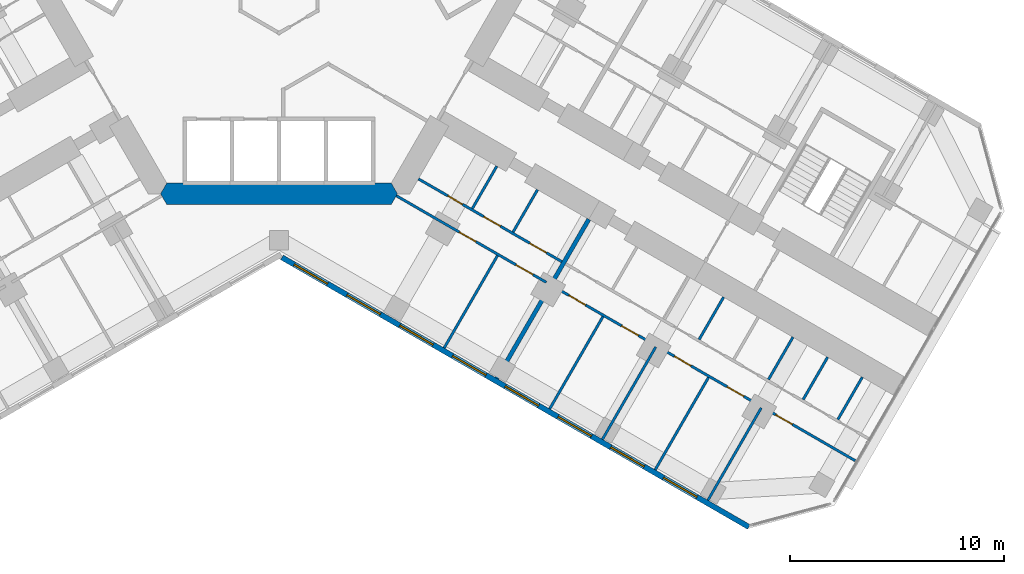
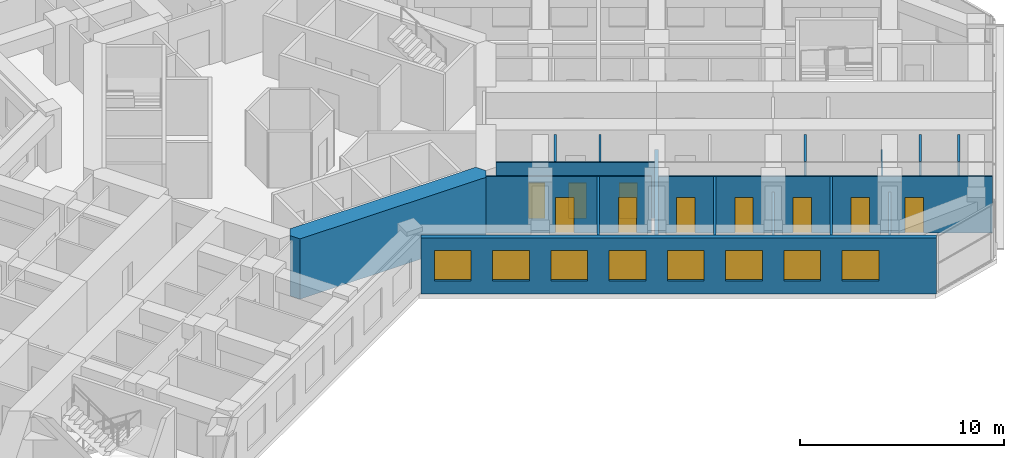
# One storey, part 14 of 22: 17 walls, 10 doors, 8 windows, 18 openings.
"""IFC4 building model written with IfcOpenShell, lengths in metres."""

from ifc_helpers import new_model, si_unit, direction, frame, frame_2d, origin, place, context, subcontext, project, spatial, polyline, rectangle, outline, extrude, material, layer, layer_set, type_object, element, fill, save


model = new_model("IFC4")

# Units and contexts
model_context = context("Model", 3, precision=1e-05, world=origin(), true_north=direction((0.0, 1.0)))
body_context = subcontext(model_context, "Body", "Model", "MODEL_VIEW")
ifc_project = project(units=[si_unit("LENGTHUNIT", "METRE"), si_unit("AREAUNIT", "SQUARE_METRE"), si_unit("VOLUMEUNIT", "CUBIC_METRE"), si_unit("PLANEANGLEUNIT", "RADIAN"), si_unit("MASSUNIT", "GRAM", prefix="KILO")], contexts=[model_context])

# Site, building, storey
site_placement = place(None, origin())
site = spatial("IfcSite", under=ifc_project, at=site_placement, CompositionType="ELEMENT")
building_placement = place(site_placement, origin())
building = spatial("IfcBuilding", under=site, at=building_placement, Name="Kosmar Iwan School Tower", CompositionType="ELEMENT")
storey_placement = place(building_placement, frame((0.0, 0.0, 91.60009765625)))
storey = spatial("IfcBuildingStorey", under=building, at=storey_placement, Name="L22", CompositionType="ELEMENT", Elevation=91.60009765625)

# Wall
ifc_material_1 = material(Name="Concrete C50/60", Category="concrete")
ifc_layer_1 = layer(ifc_material_1, 1.0)
ifc_layer_set_1 = layer_set([ifc_layer_1], Name="Core wall 1000")
wall_type_1 = type_object("IfcWallType", Name="Core wall 1000", PredefinedType="SHEAR", material=ifc_layer_set_1)
wall_1_placement = place(storey_placement, origin())
element("IfcWall", 1, at=wall_1_placement, inside=storey, type_object=wall_type_1, Name="Core wall F270", PredefinedType="SHEAR", context=body_context, shape_type="SweptSolid", body=[
    extrude(outline(polyline([(-5.25390625, -10.10009765625), (5.25390625, -10.10009765625), (5.54248046875, -9.60009765625), (5.25390625, -9.10009765625), (-5.25390625, -9.10009765625), (-5.54248046875, -9.60009765625), (-5.25390625, -10.10009765625)])), origin(), (0.0, 0.0, 1.0), 3.599853515625),
])

# Wall, openings, doors
ifc_material_2 = material(Name="Gypsum board on steel studs", Category="steel")
ifc_layer_2 = layer(ifc_material_2, 0.1201171875)
ifc_layer_set_2 = layer_set([ifc_layer_2], Name="Dwelling partition 120")
wall_type_2 = type_object("IfcWallType", Name="Dwelling partition 120", PredefinedType="PARTITIONING", material=ifc_layer_set_2)
wall_2_placement = place(storey_placement, frame((6.521728515625, -8.90380859375, 0.0), z_axis=(0.0, 0.0, 1.0), x_axis=(0.866032409438, -0.499987865656, 0.0)))
wall_2 = element("IfcWall", 2, at=wall_2_placement, inside=storey, type_object=wall_type_2, Name="Partition L22-CR1-W1", PredefinedType="PARTITIONING", context=body_context, shape_type="SweptSolid", body=[
    extrude(rectangle(XDim=7.750244140625, YDim=0.1201171875, at=frame_2d((3.875, 0.0))), origin(), (0.0, 0.0, 1.0), 3.349853515625),
])
opening_1_placement = place(wall_2_placement, frame((1.590087890625, 0.0, 0.0)))
opening_1 = element("IfcOpeningElement", 3, at=opening_1_placement, cuts=wall_2, Name="Opening D3", PredefinedType="OPENING", context=body_context, shape_type="SweptSolid", body=[
    extrude(rectangle(XDim=0.800048828125, YDim=2.10009765625, at=frame_2d((0.39990234375, 1.050048828125))), frame((0.0, 0.072021484375, 0.0), z_axis=(0.0, -1.0, 0.0), x_axis=(1.0, 0.0, 0.0)), (0.0, 0.0, 1.0), 0.14404296875),
])
opening_2_placement = place(wall_2_placement, frame((3.530029296875, 0.0, 0.0)))
opening_2 = element("IfcOpeningElement", 4, at=opening_2_placement, cuts=wall_2, Name="Opening D2", PredefinedType="OPENING", context=body_context, shape_type="SweptSolid", body=[
    extrude(rectangle(XDim=0.89990234375, YDim=2.10009765625, at=frame_2d((0.449951171875, 1.050048828125))), frame((0.0, 0.072021484375, 0.0), z_axis=(0.0, -1.0, 0.0), x_axis=(1.0, 0.0, 0.0)), (0.0, 0.0, 1.0), 0.14404296875),
])
opening_3_placement = place(wall_2_placement, frame((6.014892578125, 0.0, 0.0)))
opening_3 = element("IfcOpeningElement", 5, at=opening_3_placement, cuts=wall_2, Name="Opening D2", PredefinedType="OPENING", context=body_context, shape_type="SweptSolid", body=[
    extrude(rectangle(XDim=0.89990234375, YDim=2.10009765625, at=frame_2d((0.449951171875, 1.050048828125))), frame((0.0, 0.072021484375, 0.0), z_axis=(0.0, -1.0, 0.0), x_axis=(1.0, 0.0, 0.0)), (0.0, 0.0, 1.0), 0.14404296875),
])
ifc_material_3 = material(Name="Timber door in timber frame", Category="wood")
door_type_1 = type_object("IfcDoorType", Name="Internal door 900x2100", OperationType="SINGLE_SWING_LEFT", PredefinedType="DOOR", material=ifc_material_3)
door_1_placement = place(opening_2_placement, origin())
door_1 = element("IfcDoor", 6, at=door_1_placement, inside=storey, type_object=door_type_1, Name="Entrance hall door L22-CR1-S2", OperationType="SINGLE_SWING_LEFT", OverallHeight=2.10009765625, OverallWidth=0.89990234375, PredefinedType="DOOR", context=body_context, shape_type="SweptSolid", body=[
    extrude(rectangle(XDim=0.89990234375, YDim=2.10009765625, at=frame_2d((0.449951171875, 1.050048828125))), frame((0.0, 0.02490234375, 0.0), z_axis=(0.0, -1.0, 0.0), x_axis=(1.0, 0.0, 0.0)), (0.0, 0.0, 1.0), 0.050048828125),
])
fill(opening_2, door_1)
door_2_placement = place(opening_3_placement, origin())
door_2 = element("IfcDoor", 7, at=door_2_placement, inside=storey, type_object=door_type_1, Name="Pantry door L22-CR1-S3", OperationType="SINGLE_SWING_RIGHT", OverallHeight=2.10009765625, OverallWidth=0.89990234375, PredefinedType="DOOR", context=body_context, shape_type="SweptSolid", body=[
    extrude(rectangle(XDim=0.89990234375, YDim=2.10009765625, at=frame_2d((0.449951171875, 1.050048828125))), frame((0.0, 0.02490234375, 0.0), z_axis=(0.0, -1.0, 0.0), x_axis=(1.0, 0.0, 0.0)), (0.0, 0.0, 1.0), 0.050048828125),
])
fill(opening_3, door_2)
ifc_material_4 = material(Name="Timber door in timber frame", Category="wood")
door_type_2 = type_object("IfcDoorType", Name="Sanitary room door 800x2100", OperationType="SINGLE_SWING_LEFT", PredefinedType="DOOR", material=ifc_material_4)
door_3_placement = place(opening_1_placement, origin())
door_3 = element("IfcDoor", 8, at=door_3_placement, inside=storey, type_object=door_type_2, Name="Bathroom door L22-CR1-S1", OperationType="SINGLE_SWING_RIGHT", OverallHeight=2.10009765625, OverallWidth=0.800048828125, PredefinedType="DOOR", context=body_context, shape_type="SweptSolid", body=[
    extrude(rectangle(XDim=0.800048828125, YDim=2.10009765625, at=frame_2d((0.39990234375, 1.050048828125))), frame((0.0, 0.02490234375, 0.0), z_axis=(0.0, -1.0, 0.0), x_axis=(1.0, 0.0, 0.0)), (0.0, 0.0, 1.0), 0.050048828125),
])
fill(opening_1, door_3)

wall_3_placement = place(storey_placement, frame((5.48876953125, -9.693115234375, 0.0), z_axis=(0.0, 0.0, 1.0), x_axis=(0.866025472755, -0.499999880539, 0.0)))
wall_3 = element("IfcWall", 9, at=wall_3_placement, inside=storey, type_object=wall_type_2, Name="Partition L22-CR1-W2", PredefinedType="PARTITIONING", context=body_context, shape_type="SweptSolid", body=[
    extrude(rectangle(XDim=8.10009765625, YDim=0.1201171875, at=frame_2d((4.050048828125, 0.0))), origin(), (0.0, 0.0, 1.0), 3.349853515625),
])
opening_4_placement = place(wall_3_placement, frame((3.39990234375, 0.0, 0.0)))
opening_4 = element("IfcOpeningElement", 10, at=opening_4_placement, cuts=wall_3, Name="Opening D2", PredefinedType="OPENING", context=body_context, shape_type="SweptSolid", body=[
    extrude(rectangle(XDim=0.89990234375, YDim=2.10009765625, at=frame_2d((0.449951171875, 1.050048828125))), frame((0.0, 0.072021484375, 0.0), z_axis=(0.0, -1.0, 0.0), x_axis=(1.0, 0.0, 0.0)), (0.0, 0.0, 1.0), 0.14404296875),
])
opening_5_placement = place(wall_3_placement, frame((6.47509765625, 0.0, 0.0)))
opening_5 = element("IfcOpeningElement", 11, at=opening_5_placement, cuts=wall_3, Name="Opening D2", PredefinedType="OPENING", context=body_context, shape_type="SweptSolid", body=[
    extrude(rectangle(XDim=0.89990234375, YDim=2.10009765625, at=frame_2d((0.449951171875, 1.050048828125))), frame((0.0, 0.072021484375, 0.0), z_axis=(0.0, -1.0, 0.0), x_axis=(1.0, 0.0, 0.0)), (0.0, 0.0, 1.0), 0.14404296875),
])
door_4_placement = place(opening_4_placement, origin())
door_4 = element("IfcDoor", 12, at=door_4_placement, inside=storey, type_object=door_type_1, Name="Living room and kitchen door L22-CR1-F1", OperationType="SINGLE_SWING_LEFT", OverallHeight=2.10009765625, OverallWidth=0.89990234375, PredefinedType="DOOR", context=body_context, shape_type="SweptSolid", body=[
    extrude(rectangle(XDim=0.89990234375, YDim=2.10009765625, at=frame_2d((0.449951171875, 1.050048828125))), frame((0.0, 0.02490234375, 0.0), z_axis=(0.0, -1.0, 0.0), x_axis=(1.0, 0.0, 0.0)), (0.0, 0.0, 1.0), 0.050048828125),
])
fill(opening_4, door_4)
door_5_placement = place(opening_5_placement, origin())
door_5 = element("IfcDoor", 13, at=door_5_placement, inside=storey, type_object=door_type_1, Name="Bedroom 1 door L22-CR1-F2", OperationType="SINGLE_SWING_RIGHT", OverallHeight=2.10009765625, OverallWidth=0.89990234375, PredefinedType="DOOR", context=body_context, shape_type="SweptSolid", body=[
    extrude(rectangle(XDim=0.89990234375, YDim=2.10009765625, at=frame_2d((0.449951171875, 1.050048828125))), frame((0.0, 0.02490234375, 0.0), z_axis=(0.0, -1.0, 0.0), x_axis=(1.0, 0.0, 0.0)), (0.0, 0.0, 1.0), 0.050048828125),
])
fill(opening_5, door_5)

# Walls
wall_4_placement = place(storey_placement, frame((10.221923828125, -12.4951171875, 0.0), z_axis=(0.0, 0.0, 1.0), x_axis=(-0.499996339024, -0.86602751744, 0.0)))
element("IfcWall", 14, at=wall_4_placement, inside=storey, type_object=wall_type_2, Name="Partition L22-CR1-X1", PredefinedType="PARTITIONING", context=body_context, shape_type="SweptSolid", body=[
    extrude(rectangle(XDim=4.98974609375, YDim=0.1201171875, at=frame_2d((2.494873046875, 0.0))), origin(), (0.0, 0.0, 1.0), 3.349853515625),
])
for number, where, z_axis, x_axis, name in (
    (15, (10.19091796875, -8.30859375, 0.0), (0.0, 0.0, 1.0), (-0.500014693593, -0.866016920268, 0.0), "Partition L22-CR1-Y1"),
    (16, (12.09619140625, -9.40869140625, 0.0), (0.0, 0.0, 1.0), (-0.500014693593, -0.866016920268, 0.0), "Partition L22-CR1-Y2"),
):
    element("IfcWall", number, at=place(storey_placement, frame(where, z_axis=z_axis, x_axis=x_axis)), inside=storey, type_object=wall_type_2, Name=name, PredefinedType="PARTITIONING", context=body_context, shape_type="SweptSolid", body=[
        extrude(rectangle(XDim=2.2900390625, YDim=0.1201171875, at=frame_2d((1.14501953125, 0.0))), origin(), (0.0, 0.0, 1.0), 3.349853515625),
    ])

# Wall, openings, doors
wall_5_placement = place(storey_placement, frame((12.806640625, -13.91796875, 0.0), z_axis=(0.0, 0.0, 1.0), x_axis=(0.866023907196, -0.500002592159, 0.0)))
wall_5 = element("IfcWall", 17, at=wall_5_placement, inside=storey, type_object=wall_type_2, Name="Partition L22-CR2-W2", PredefinedType="PARTITIONING", context=body_context, shape_type="SweptSolid", body=[
    extrude(rectangle(XDim=16.34521484375, YDim=0.1201171875, at=frame_2d((8.172607421875, 0.0))), origin(), (0.0, 0.0, 1.0), 3.349853515625),
])
opening_6_placement = place(wall_5_placement, frame((0.875, 0.0, 0.0)))
opening_6 = element("IfcOpeningElement", 18, at=opening_6_placement, cuts=wall_5, Name="Opening D2", PredefinedType="OPENING", context=body_context, shape_type="SweptSolid", body=[
    extrude(rectangle(XDim=0.89990234375, YDim=2.10009765625, at=frame_2d((0.449951171875, 1.050048828125))), frame((0.0, 0.072021484375, 0.0), z_axis=(0.0, -1.0, 0.0), x_axis=(1.0, 0.0, 0.0)), (0.0, 0.0, 1.0), 0.14404296875),
])
opening_7_placement = place(wall_5_placement, frame((3.72509765625, 0.0, 0.0)))
opening_7 = element("IfcOpeningElement", 19, at=opening_7_placement, cuts=wall_5, Name="Opening D2", PredefinedType="OPENING", context=body_context, shape_type="SweptSolid", body=[
    extrude(rectangle(XDim=0.89990234375, YDim=2.10009765625, at=frame_2d((0.449951171875, 1.050048828125))), frame((0.0, 0.072021484375, 0.0), z_axis=(0.0, -1.0, 0.0), x_axis=(1.0, 0.0, 0.0)), (0.0, 0.0, 1.0), 0.14404296875),
])
opening_8_placement = place(wall_5_placement, frame((6.574951171875, 0.0, 0.0)))
opening_8 = element("IfcOpeningElement", 20, at=opening_8_placement, cuts=wall_5, Name="Opening D2", PredefinedType="OPENING", context=body_context, shape_type="SweptSolid", body=[
    extrude(rectangle(XDim=0.89990234375, YDim=2.10009765625, at=frame_2d((0.449951171875, 1.050048828125))), frame((0.0, 0.072021484375, 0.0), z_axis=(0.0, -1.0, 0.0), x_axis=(1.0, 0.0, 0.0)), (0.0, 0.0, 1.0), 0.14404296875),
])
opening_9_placement = place(wall_5_placement, frame((9.425048828125, 0.0, 0.0)))
opening_9 = element("IfcOpeningElement", 21, at=opening_9_placement, cuts=wall_5, Name="Opening D2", PredefinedType="OPENING", context=body_context, shape_type="SweptSolid", body=[
    extrude(rectangle(XDim=0.89990234375, YDim=2.10009765625, at=frame_2d((0.449951171875, 1.050048828125))), frame((0.0, 0.072021484375, 0.0), z_axis=(0.0, -1.0, 0.0), x_axis=(1.0, 0.0, 0.0)), (0.0, 0.0, 1.0), 0.14404296875),
])
opening_10_placement = place(wall_5_placement, frame((12.050048828125, 0.0, 0.0)))
opening_10 = element("IfcOpeningElement", 22, at=opening_10_placement, cuts=wall_5, Name="Opening D2", PredefinedType="OPENING", context=body_context, shape_type="SweptSolid", body=[
    extrude(rectangle(XDim=0.89990234375, YDim=2.10009765625, at=frame_2d((0.449951171875, 1.050048828125))), frame((0.0, 0.072021484375, 0.0), z_axis=(0.0, -1.0, 0.0), x_axis=(1.0, 0.0, 0.0)), (0.0, 0.0, 1.0), 0.14404296875),
])
door_6_placement = place(opening_6_placement, origin())
door_6 = element("IfcDoor", 23, at=door_6_placement, inside=storey, type_object=door_type_1, Name="Bedroom 1 door L22-CR2-F1", OperationType="SINGLE_SWING_LEFT", OverallHeight=2.10009765625, OverallWidth=0.89990234375, PredefinedType="DOOR", context=body_context, shape_type="SweptSolid", body=[
    extrude(rectangle(XDim=0.89990234375, YDim=2.10009765625, at=frame_2d((0.449951171875, 1.050048828125))), frame((0.0, 0.02490234375, 0.0), z_axis=(0.0, -1.0, 0.0), x_axis=(1.0, 0.0, 0.0)), (0.0, 0.0, 1.0), 0.050048828125),
])
fill(opening_6, door_6)
door_7_placement = place(opening_7_placement, origin())
door_7 = element("IfcDoor", 24, at=door_7_placement, inside=storey, type_object=door_type_1, Name="Bedroom 4 door L22-CR2-F2", OperationType="SINGLE_SWING_LEFT", OverallHeight=2.10009765625, OverallWidth=0.89990234375, PredefinedType="DOOR", context=body_context, shape_type="SweptSolid", body=[
    extrude(rectangle(XDim=0.89990234375, YDim=2.10009765625, at=frame_2d((0.449951171875, 1.050048828125))), frame((0.0, 0.02490234375, 0.0), z_axis=(0.0, -1.0, 0.0), x_axis=(1.0, 0.0, 0.0)), (0.0, 0.0, 1.0), 0.050048828125),
])
fill(opening_7, door_7)
door_8_placement = place(opening_8_placement, origin())
door_8 = element("IfcDoor", 25, at=door_8_placement, inside=storey, type_object=door_type_1, Name="Bedroom 2 door L22-CR2-F3", OperationType="SINGLE_SWING_LEFT", OverallHeight=2.10009765625, OverallWidth=0.89990234375, PredefinedType="DOOR", context=body_context, shape_type="SweptSolid", body=[
    extrude(rectangle(XDim=0.89990234375, YDim=2.10009765625, at=frame_2d((0.449951171875, 1.050048828125))), frame((0.0, 0.02490234375, 0.0), z_axis=(0.0, -1.0, 0.0), x_axis=(1.0, 0.0, 0.0)), (0.0, 0.0, 1.0), 0.050048828125),
])
fill(opening_8, door_8)
door_9_placement = place(opening_9_placement, origin())
door_9 = element("IfcDoor", 26, at=door_9_placement, inside=storey, type_object=door_type_1, Name="Bedroom 3 door L22-CR2-F4", OperationType="SINGLE_SWING_RIGHT", OverallHeight=2.10009765625, OverallWidth=0.89990234375, PredefinedType="DOOR", context=body_context, shape_type="SweptSolid", body=[
    extrude(rectangle(XDim=0.89990234375, YDim=2.10009765625, at=frame_2d((0.449951171875, 1.050048828125))), frame((0.0, 0.02490234375, 0.0), z_axis=(0.0, -1.0, 0.0), x_axis=(1.0, 0.0, 0.0)), (0.0, 0.0, 1.0), 0.050048828125),
])
fill(opening_9, door_9)
door_10_placement = place(opening_10_placement, origin())
door_10 = element("IfcDoor", 27, at=door_10_placement, inside=storey, type_object=door_type_1, Name="Living room and kitchen door L22-CR2-F5", OperationType="SINGLE_SWING_RIGHT", OverallHeight=2.10009765625, OverallWidth=0.89990234375, PredefinedType="DOOR", context=body_context, shape_type="SweptSolid", body=[
    extrude(rectangle(XDim=0.89990234375, YDim=2.10009765625, at=frame_2d((0.449951171875, 1.050048828125))), frame((0.0, 0.02490234375, 0.0), z_axis=(0.0, -1.0, 0.0), x_axis=(1.0, 0.0, 0.0)), (0.0, 0.0, 1.0), 0.050048828125),
])
fill(opening_10, door_10)

# Walls
wall_6_placement = place(storey_placement, frame((15.158447265625, -15.344970703125, 0.0), z_axis=(0.0, 0.0, 1.0), x_axis=(-0.500011847778, -0.866018563358, 0.0)))
element("IfcWall", 28, at=wall_6_placement, inside=storey, type_object=wall_type_2, Name="Partition L22-CR2-X1", PredefinedType="PARTITIONING", context=body_context, shape_type="SweptSolid", body=[
    extrude(rectangle(XDim=4.990234375, YDim=0.1201171875, at=frame_2d((2.4951171875, 0.0))), origin(), (0.0, 0.0, 1.0), 3.349853515625),
])
wall_7_placement = place(storey_placement, frame((17.62646484375, -16.77001953125, 0.0), z_axis=(0.0, 0.0, 1.0), x_axis=(-0.499975153383, -0.86603974851, 0.0)))
element("IfcWall", 29, at=wall_7_placement, inside=storey, type_object=wall_type_2, Name="Partition L22-CR2-X2", PredefinedType="PARTITIONING", context=body_context, shape_type="SweptSolid", body=[
    extrude(rectangle(XDim=4.989990234375, YDim=0.1201171875, at=frame_2d((2.4951171875, 0.0))), origin(), (0.0, 0.0, 1.0), 2.449951171875),
])
wall_8_placement = place(storey_placement, frame((20.0947265625, -18.195068359375, 0.0), z_axis=(0.0, 0.0, 1.0), x_axis=(-0.500011847778, -0.866018563358, 0.0)))
element("IfcWall", 30, at=wall_8_placement, inside=storey, type_object=wall_type_2, Name="Partition L22-CR2-X3", PredefinedType="PARTITIONING", context=body_context, shape_type="SweptSolid", body=[
    extrude(rectangle(XDim=4.990234375, YDim=0.1201171875, at=frame_2d((2.4951171875, 0.0))), origin(), (0.0, 0.0, 1.0), 3.349853515625),
])
wall_9_placement = place(storey_placement, frame((22.562744140625, -19.6201171875, 0.0), z_axis=(0.0, 0.0, 1.0), x_axis=(-0.499996339024, -0.86602751744, 0.0)))
element("IfcWall", 31, at=wall_9_placement, inside=storey, type_object=wall_type_2, Name="Partition L22-CR2-X4", PredefinedType="PARTITIONING", context=body_context, shape_type="SweptSolid", body=[
    extrude(rectangle(XDim=4.98974609375, YDim=0.1201171875, at=frame_2d((2.494873046875, 0.0))), origin(), (0.0, 0.0, 1.0), 2.449951171875),
])
wall_10_placement = place(storey_placement, frame((20.802734375, -14.435302734375, 0.0), z_axis=(0.0, 0.0, 1.0), x_axis=(-0.500014693593, -0.866016920268, 0.0)))
element("IfcWall", 32, at=wall_10_placement, inside=storey, type_object=wall_type_2, Name="Partition L22-CR2-Y3", PredefinedType="PARTITIONING", context=body_context, shape_type="SweptSolid", body=[
    extrude(rectangle(XDim=2.2900390625, YDim=0.1201171875, at=frame_2d((1.14501953125, 0.0))), origin(), (0.0, 0.0, 1.0), 3.349853515625),
])
wall_11_placement = place(storey_placement, frame((24.04736328125, -16.30859375, 0.0), z_axis=(0.0, 0.0, 1.0), x_axis=(-0.500014693593, -0.866016920268, 0.0)))
element("IfcWall", 33, at=wall_11_placement, inside=storey, type_object=wall_type_2, Name="Partition L22-CR2-Y5", PredefinedType="PARTITIONING", context=body_context, shape_type="SweptSolid", body=[
    extrude(rectangle(XDim=2.2900390625, YDim=0.1201171875, at=frame_2d((1.14501953125, 0.0))), origin(), (0.0, 0.0, 1.0), 2.449951171875),
])
wall_12_placement = place(storey_placement, frame((25.669677734375, -17.245361328125, 0.0), z_axis=(0.0, 0.0, 1.0), x_axis=(-0.500014693593, -0.866016920268, 0.0)))
element("IfcWall", 34, at=wall_12_placement, inside=storey, type_object=wall_type_2, Name="Partition L22-CR2-Y6", PredefinedType="PARTITIONING", context=body_context, shape_type="SweptSolid", body=[
    extrude(rectangle(XDim=2.2900390625, YDim=0.1201171875, at=frame_2d((1.14501953125, 0.0))), origin(), (0.0, 0.0, 1.0), 3.349853515625),
])
wall_13_placement = place(storey_placement, frame((27.292236328125, -18.181884765625, 0.0), z_axis=(0.0, 0.0, 1.0), x_axis=(-0.499968531483, -0.866043571379, 0.0)))
element("IfcWall", 35, at=wall_13_placement, inside=storey, type_object=wall_type_2, Name="Partition L22-CR2-Y7", PredefinedType="PARTITIONING", context=body_context, shape_type="SweptSolid", body=[
    extrude(rectangle(XDim=2.290283203125, YDim=0.1201171875, at=frame_2d((1.14501953125, 0.0))), origin(), (0.0, 0.0, 1.0), 3.349853515625),
])

# Wall, openings, windows
ifc_material_5 = material(Name="Black aluminium rainscreen on insulated framing", Category="aluminium")
ifc_layer_3 = layer(ifc_material_5, 0.25)
ifc_layer_set_3 = layer_set([ifc_layer_3], Name="External wall rainscreen 250")
wall_type_3 = type_object("IfcWallType", Name="External wall rainscreen 250", PredefinedType="SOLIDWALL", material=ifc_layer_set_3)
wall_14_placement = place(storey_placement, frame((0.137939453125, -12.5791015625, 0.0), z_axis=(0.0, 0.0, 1.0), x_axis=(0.866023775649, -0.500002820003, 0.0)))
wall_14 = element("IfcWall", 36, at=wall_14_placement, inside=storey, type_object=wall_type_3, Name="External wall CR L22", PredefinedType="SOLIDWALL", context=body_context, shape_type="SweptSolid", body=[
    extrude(rectangle(XDim=25.226318359375, YDim=0.25, at=frame_2d((12.61328125, 0.0))), origin(), (0.0, 0.0, 1.0), 3.349853515625),
])
opening_11_placement = place(wall_14_placement, frame((0.666015625, 0.0, 0.800048828125)))
opening_11 = element("IfcOpeningElement", 37, at=opening_11_placement, cuts=wall_14, Name="Opening W1", PredefinedType="OPENING", context=body_context, shape_type="SweptSolid", body=[
    extrude(rectangle(XDim=1.800048828125, YDim=1.800048828125, at=frame_2d((0.89990234375, 0.89990234375))), frame((0.0, 0.136962890625, 0.0), z_axis=(0.0, -1.0, 0.0), x_axis=(1.0, 0.0, 0.0)), (0.0, 0.0, 1.0), 0.27392578125),
])
opening_12_placement = place(wall_14_placement, frame((3.51611328125, 0.0, 0.800048828125)))
opening_12 = element("IfcOpeningElement", 38, at=opening_12_placement, cuts=wall_14, Name="Opening W1", PredefinedType="OPENING", context=body_context, shape_type="SweptSolid", body=[
    extrude(rectangle(XDim=1.800048828125, YDim=1.800048828125, at=frame_2d((0.89990234375, 0.89990234375))), frame((0.0, 0.136962890625, 0.0), z_axis=(0.0, -1.0, 0.0), x_axis=(1.0, 0.0, 0.0)), (0.0, 0.0, 1.0), 0.27392578125),
])
opening_13_placement = place(wall_14_placement, frame((6.365966796875, 0.0, 0.800048828125)))
opening_13 = element("IfcOpeningElement", 39, at=opening_13_placement, cuts=wall_14, Name="Opening W1", PredefinedType="OPENING", context=body_context, shape_type="SweptSolid", body=[
    extrude(rectangle(XDim=1.800048828125, YDim=1.800048828125, at=frame_2d((0.89990234375, 0.89990234375))), frame((0.0, 0.136962890625, 0.0), z_axis=(0.0, -1.0, 0.0), x_axis=(1.0, 0.0, 0.0)), (0.0, 0.0, 1.0), 0.27392578125),
])
opening_14_placement = place(wall_14_placement, frame((9.216064453125, 0.0, 0.800048828125)))
opening_14 = element("IfcOpeningElement", 40, at=opening_14_placement, cuts=wall_14, Name="Opening W1", PredefinedType="OPENING", context=body_context, shape_type="SweptSolid", body=[
    extrude(rectangle(XDim=1.800048828125, YDim=1.800048828125, at=frame_2d((0.89990234375, 0.89990234375))), frame((0.0, 0.136962890625, 0.0), z_axis=(0.0, -1.0, 0.0), x_axis=(1.0, 0.0, 0.0)), (0.0, 0.0, 1.0), 0.27392578125),
])
opening_15_placement = place(wall_14_placement, frame((12.06591796875, 0.0, 0.800048828125)))
opening_15 = element("IfcOpeningElement", 41, at=opening_15_placement, cuts=wall_14, Name="Opening W1", PredefinedType="OPENING", context=body_context, shape_type="SweptSolid", body=[
    extrude(rectangle(XDim=1.800048828125, YDim=1.800048828125, at=frame_2d((0.89990234375, 0.89990234375))), frame((0.0, 0.136962890625, 0.0), z_axis=(0.0, -1.0, 0.0), x_axis=(1.0, 0.0, 0.0)), (0.0, 0.0, 1.0), 0.27392578125),
])
opening_16_placement = place(wall_14_placement, frame((14.916015625, 0.0, 0.800048828125)))
opening_16 = element("IfcOpeningElement", 42, at=opening_16_placement, cuts=wall_14, Name="Opening W1", PredefinedType="OPENING", context=body_context, shape_type="SweptSolid", body=[
    extrude(rectangle(XDim=1.800048828125, YDim=1.800048828125, at=frame_2d((0.89990234375, 0.89990234375))), frame((0.0, 0.136962890625, 0.0), z_axis=(0.0, -1.0, 0.0), x_axis=(1.0, 0.0, 0.0)), (0.0, 0.0, 1.0), 0.27392578125),
])
opening_17_placement = place(wall_14_placement, frame((17.76611328125, 0.0, 0.800048828125)))
opening_17 = element("IfcOpeningElement", 43, at=opening_17_placement, cuts=wall_14, Name="Opening W1", PredefinedType="OPENING", context=body_context, shape_type="SweptSolid", body=[
    extrude(rectangle(XDim=1.800048828125, YDim=1.800048828125, at=frame_2d((0.89990234375, 0.89990234375))), frame((0.0, 0.136962890625, 0.0), z_axis=(0.0, -1.0, 0.0), x_axis=(1.0, 0.0, 0.0)), (0.0, 0.0, 1.0), 0.27392578125),
])
opening_18_placement = place(wall_14_placement, frame((20.615966796875, 0.0, 0.800048828125)))
opening_18 = element("IfcOpeningElement", 44, at=opening_18_placement, cuts=wall_14, Name="Opening W1", PredefinedType="OPENING", context=body_context, shape_type="SweptSolid", body=[
    extrude(rectangle(XDim=1.800048828125, YDim=1.800048828125, at=frame_2d((0.89990234375, 0.89990234375))), frame((0.0, 0.136962890625, 0.0), z_axis=(0.0, -1.0, 0.0), x_axis=(1.0, 0.0, 0.0)), (0.0, 0.0, 1.0), 0.27392578125),
])
ifc_material_6 = material(Name="Black aluminium frame with dark triple glazing", Category="aluminium")
window_type = type_object("IfcWindowType", Name="Window 1800x1800", PartitioningType="SINGLE_PANEL", PredefinedType="WINDOW", material=ifc_material_6)
window_1_placement = place(opening_11_placement, origin())
window_1 = element("IfcWindow", 45, at=window_1_placement, inside=storey, type_object=window_type, Name="Window CR L22 -1", OverallHeight=1.800048828125, OverallWidth=1.800048828125, PartitioningType="SINGLE_PANEL", PredefinedType="WINDOW", context=body_context, shape_type="SweptSolid", body=[
    extrude(rectangle(XDim=1.800048828125, YDim=1.800048828125, at=frame_2d((0.89990234375, 0.89990234375))), frame((0.0, 0.030029296875, 0.0), z_axis=(0.0, -1.0, 0.0), x_axis=(1.0, 0.0, 0.0)), (0.0, 0.0, 1.0), 0.06005859375),
])
fill(opening_11, window_1)
window_2_placement = place(opening_12_placement, origin())
window_2 = element("IfcWindow", 46, at=window_2_placement, inside=storey, type_object=window_type, Name="Window CR L22 0", OverallHeight=1.800048828125, OverallWidth=1.800048828125, PartitioningType="SINGLE_PANEL", PredefinedType="WINDOW", context=body_context, shape_type="SweptSolid", body=[
    extrude(rectangle(XDim=1.800048828125, YDim=1.800048828125, at=frame_2d((0.89990234375, 0.89990234375))), frame((0.0, 0.030029296875, 0.0), z_axis=(0.0, -1.0, 0.0), x_axis=(1.0, 0.0, 0.0)), (0.0, 0.0, 1.0), 0.06005859375),
])
fill(opening_12, window_2)
window_3_placement = place(opening_13_placement, origin())
window_3 = element("IfcWindow", 47, at=window_3_placement, inside=storey, type_object=window_type, Name="Window CR L22 1", OverallHeight=1.800048828125, OverallWidth=1.800048828125, PartitioningType="SINGLE_PANEL", PredefinedType="WINDOW", context=body_context, shape_type="SweptSolid", body=[
    extrude(rectangle(XDim=1.800048828125, YDim=1.800048828125, at=frame_2d((0.89990234375, 0.89990234375))), frame((0.0, 0.030029296875, 0.0), z_axis=(0.0, -1.0, 0.0), x_axis=(1.0, 0.0, 0.0)), (0.0, 0.0, 1.0), 0.06005859375),
])
fill(opening_13, window_3)
window_4_placement = place(opening_14_placement, origin())
window_4 = element("IfcWindow", 48, at=window_4_placement, inside=storey, type_object=window_type, Name="Window CR L22 2", OverallHeight=1.800048828125, OverallWidth=1.800048828125, PartitioningType="SINGLE_PANEL", PredefinedType="WINDOW", context=body_context, shape_type="SweptSolid", body=[
    extrude(rectangle(XDim=1.800048828125, YDim=1.800048828125, at=frame_2d((0.89990234375, 0.89990234375))), frame((0.0, 0.030029296875, 0.0), z_axis=(0.0, -1.0, 0.0), x_axis=(1.0, 0.0, 0.0)), (0.0, 0.0, 1.0), 0.06005859375),
])
fill(opening_14, window_4)
window_5_placement = place(opening_15_placement, origin())
window_5 = element("IfcWindow", 49, at=window_5_placement, inside=storey, type_object=window_type, Name="Window CR L22 3", OverallHeight=1.800048828125, OverallWidth=1.800048828125, PartitioningType="SINGLE_PANEL", PredefinedType="WINDOW", context=body_context, shape_type="SweptSolid", body=[
    extrude(rectangle(XDim=1.800048828125, YDim=1.800048828125, at=frame_2d((0.89990234375, 0.89990234375))), frame((0.0, 0.030029296875, 0.0), z_axis=(0.0, -1.0, 0.0), x_axis=(1.0, 0.0, 0.0)), (0.0, 0.0, 1.0), 0.06005859375),
])
fill(opening_15, window_5)
window_6_placement = place(opening_16_placement, origin())
window_6 = element("IfcWindow", 50, at=window_6_placement, inside=storey, type_object=window_type, Name="Window CR L22 4", OverallHeight=1.800048828125, OverallWidth=1.800048828125, PartitioningType="SINGLE_PANEL", PredefinedType="WINDOW", context=body_context, shape_type="SweptSolid", body=[
    extrude(rectangle(XDim=1.800048828125, YDim=1.800048828125, at=frame_2d((0.89990234375, 0.89990234375))), frame((0.0, 0.030029296875, 0.0), z_axis=(0.0, -1.0, 0.0), x_axis=(1.0, 0.0, 0.0)), (0.0, 0.0, 1.0), 0.06005859375),
])
fill(opening_16, window_6)
window_7_placement = place(opening_17_placement, origin())
window_7 = element("IfcWindow", 51, at=window_7_placement, inside=storey, type_object=window_type, Name="Window CR L22 5", OverallHeight=1.800048828125, OverallWidth=1.800048828125, PartitioningType="SINGLE_PANEL", PredefinedType="WINDOW", context=body_context, shape_type="SweptSolid", body=[
    extrude(rectangle(XDim=1.800048828125, YDim=1.800048828125, at=frame_2d((0.89990234375, 0.89990234375))), frame((0.0, 0.030029296875, 0.0), z_axis=(0.0, -1.0, 0.0), x_axis=(1.0, 0.0, 0.0)), (0.0, 0.0, 1.0), 0.06005859375),
])
fill(opening_17, window_7)
window_8_placement = place(opening_18_placement, origin())
window_8 = element("IfcWindow", 52, at=window_8_placement, inside=storey, type_object=window_type, Name="Window CR L22 6", OverallHeight=1.800048828125, OverallWidth=1.800048828125, PartitioningType="SINGLE_PANEL", PredefinedType="WINDOW", context=body_context, shape_type="SweptSolid", body=[
    extrude(rectangle(XDim=1.800048828125, YDim=1.800048828125, at=frame_2d((0.89990234375, 0.89990234375))), frame((0.0, 0.030029296875, 0.0), z_axis=(0.0, -1.0, 0.0), x_axis=(1.0, 0.0, 0.0)), (0.0, 0.0, 1.0), 0.06005859375),
])
fill(opening_18, window_8)

# Wall
ifc_material_7 = material(Name="Concrete block masonry", Category="masonry")
ifc_layer_4 = layer(ifc_material_7, 0.199951171875)
ifc_layer_set_4 = layer_set([ifc_layer_4], Name="Party wall 200")
wall_type_4 = type_object("IfcWallType", Name="Party wall 200", PredefinedType="PARTITIONING", material=ifc_layer_set_4)
wall_15_placement = place(storey_placement, frame((14.4951171875, -10.793701171875, 0.0), z_axis=(0.0, 0.0, 1.0), x_axis=(-0.500007509209, -0.866021068297, 0.0)))
element("IfcWall", 53, at=wall_15_placement, inside=storey, type_object=wall_type_4, Name="Partition L22-CR2-PW", PredefinedType="PARTITIONING", context=body_context, shape_type="SweptSolid", body=[
    extrude(rectangle(XDim=8.599853515625, YDim=0.199951171875, at=frame_2d((4.2998046875, 0.0))), origin(), (0.0, 0.0, 1.0), 2.449951171875),
])

save(model, "model.ifc")
